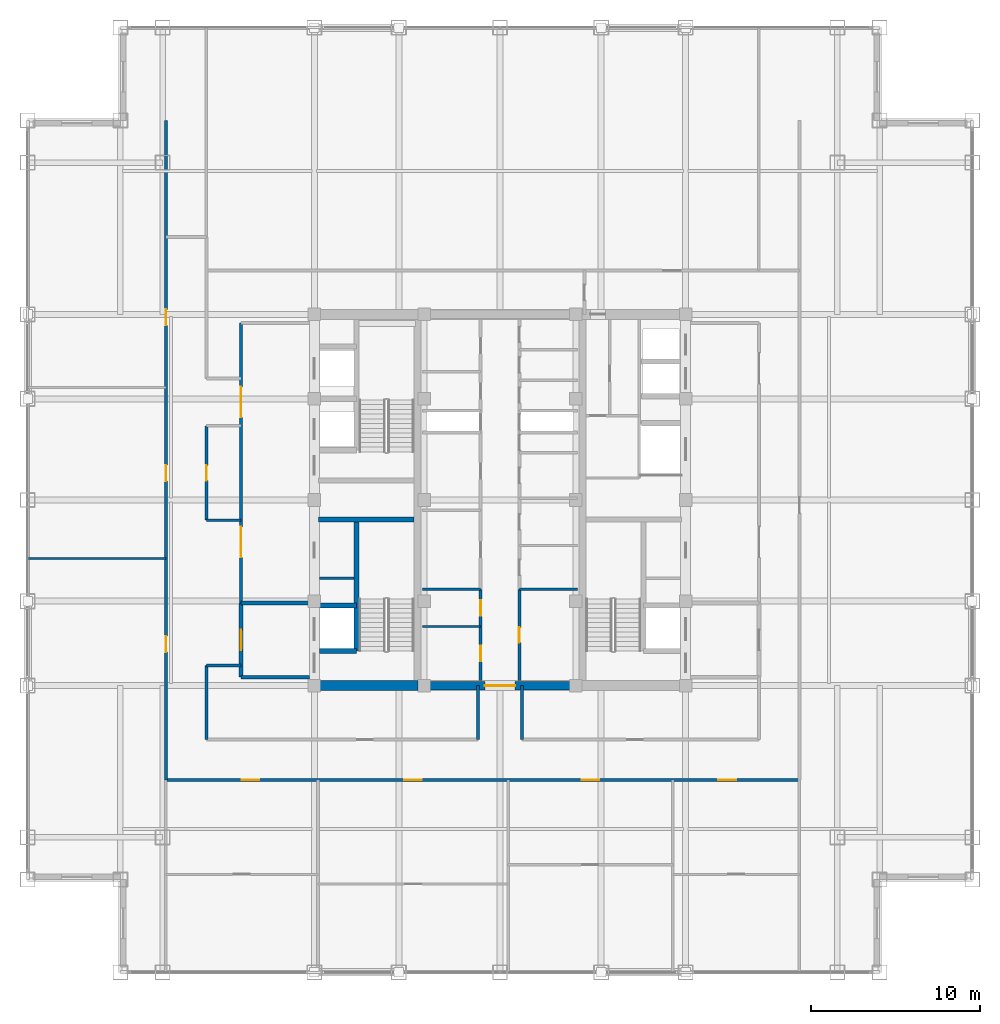
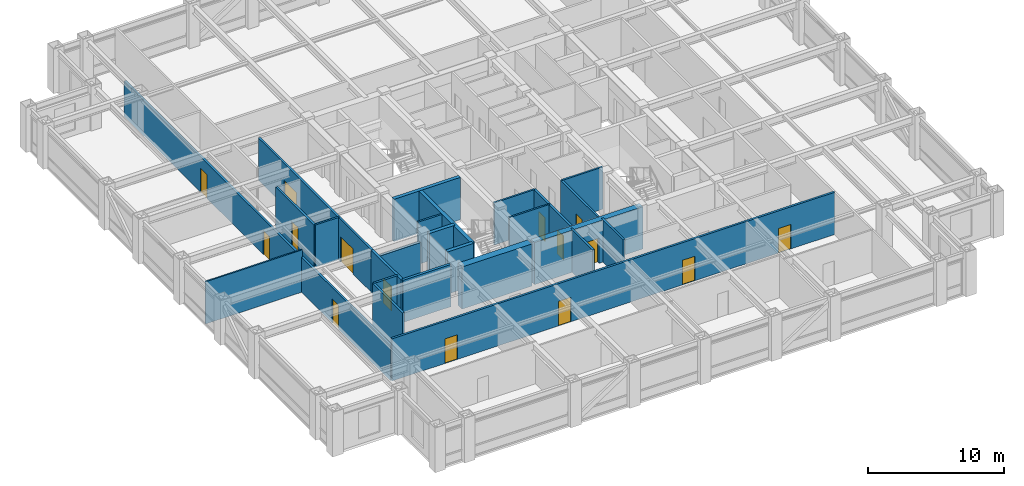
# One storey, part 18 of 22: 25 walls, 15 doors, 15 openings.
"""IFC4 building model written with IfcOpenShell, lengths in metres."""

from ifc_helpers import new_model, si_unit, direction, frame, frame_2d, origin, place, context, subcontext, project, spatial, rectangle, extrude, source, transform, mapped, material, layer, layer_set, type_object, element, fill, save


model = new_model("IFC4")

# Units and contexts
model_context = context("Model", 3, precision=1e-05, world=origin(), true_north=direction((0.0, 1.0)))
body_context = subcontext(model_context, "Body", "Model", "MODEL_VIEW")
ifc_project = project(units=[si_unit("LENGTHUNIT", "METRE"), si_unit("AREAUNIT", "SQUARE_METRE"), si_unit("VOLUMEUNIT", "CUBIC_METRE"), si_unit("PLANEANGLEUNIT", "RADIAN"), si_unit("MASSUNIT", "GRAM", prefix="KILO")], contexts=[model_context])

# Site, building, storey
site_placement = place(None, origin())
site = spatial("IfcSite", under=ifc_project, at=site_placement, CompositionType="ELEMENT")
building_placement = place(site_placement, origin())
building = spatial("IfcBuilding", under=site, at=building_placement, Name="Khorayat Bourse Tower", CompositionType="ELEMENT")
storey_placement = place(building_placement, frame((0.0, 0.0, 297.5)))
storey = spatial("IfcBuildingStorey", under=building, at=storey_placement, Name="L70", CompositionType="ELEMENT", Elevation=297.5)

# Walls
ifc_material_1 = material(Name="Concrete C60/75", Category="concrete")
ifc_layer_1 = layer(ifc_material_1, 0.60009765625)
ifc_layer_set_1 = layer_set([ifc_layer_1], Name="Concrete C60/75")
wall_type_1 = type_object("IfcWallType", Name="WAL-CORE-600", PredefinedType="SHEAR", material=ifc_layer_set_1)
shared_shape_1 = source(origin(), body_context, "Body", "SweptSolid", [
    extrude(rectangle(XDim=5.89990234375, YDim=0.60009765625, at=frame_2d((2.949951171875, 0.0))), origin(), (0.0, 0.0, 1.0), 3.780029296875),
])
wall_1_placement = place(storey_placement, frame((-10.75, -11.0, 0.0), z_axis=(0.0, 0.0, 1.0), x_axis=(1.0, 0.0, 0.0)))
element("IfcWall", 1, at=wall_1_placement, inside=storey, type_object=wall_type_1, Name="L70 Core Shear Wall PIER-WS", PredefinedType="SHEAR", context=body_context, shape_type="MappedRepresentation", body=[
    mapped(shared_shape_1, transform((0.0, 0.0, 0.0), scale=1.0)),
])
ifc_material_2 = material(Name="Concrete C50/60", Category="concrete")
ifc_layer_2 = layer(ifc_material_2, 0.300048828125)
ifc_layer_set_2 = layer_set([ifc_layer_2], Name="Concrete C50/60")
wall_type_2 = type_object("IfcWallType", Name="WAL-SHAFT-300", PredefinedType="SHEAR", material=ifc_layer_set_2)
shared_shape_2 = source(origin(), body_context, "Body", "SweptSolid", [
    extrude(rectangle(XDim=5.64990234375, YDim=0.300048828125, at=frame_2d((2.824951171875, 0.0))), origin(), (0.0, 0.0, 1.0), 3.780029296875),
])
wall_2_placement = place(storey_placement, frame((-10.75, -1.14990234375, 0.0), z_axis=(0.0, 0.0, 1.0), x_axis=(1.0, 0.0, 0.0)))
element("IfcWall", 2, at=wall_2_placement, inside=storey, type_object=wall_type_2, Name="L70 Core Shear Wall ST1-DIV", PredefinedType="SHEAR", context=body_context, shape_type="MappedRepresentation", body=[
    mapped(shared_shape_2, transform((0.0, 0.0, 0.0), scale=1.0)),
])

# Wall, opening, door
ifc_material_3 = material(Name="Concrete C52/65", Category="concrete")
ifc_layer_3 = layer(ifc_material_3, 0.5)
ifc_layer_set_3 = layer_set([ifc_layer_3], Name="Concrete C52/65")
wall_type_3 = type_object("IfcWallType", Name="WAL-CORE-500", PredefinedType="SHEAR", material=ifc_layer_set_3)
shared_shape_3 = source(origin(), body_context, "Body", "SweptSolid", [
    extrude(rectangle(XDim=9.2001953125, YDim=0.5, at=frame_2d((4.60009765625, 0.0))), origin(), (0.0, 0.0, 1.0), 3.780029296875),
])
wall_3_placement = place(storey_placement, frame((-4.60009765625, -11.0, 0.0), z_axis=(0.0, 0.0, 1.0), x_axis=(1.0, 0.0, 0.0)))
wall_3 = element("IfcWall", 3, at=wall_3_placement, inside=storey, type_object=wall_type_3, Name="L70 Core Shear Wall CORE-S", PredefinedType="SHEAR", context=body_context, shape_type="MappedRepresentation", body=[
    mapped(shared_shape_3, transform((0.0, 0.0, 0.0), scale=1.0)),
])
shared_shape_4 = source(origin(), body_context, "Body", "SweptSolid", [
    extrude(rectangle(XDim=1.800048828125, YDim=2.25, at=frame_2d((0.89990234375, 1.125))), frame((0.0, 0.260009765625, 0.0), z_axis=(0.0, -1.0, 0.0), x_axis=(1.0, 0.0, 0.0)), (0.0, 0.0, 1.0), 0.52001953125),
])
opening_1_placement = place(wall_3_placement, frame((3.699951171875, 0.0, 0.0)))
opening_1 = element("IfcOpeningElement", 4, at=opening_1_placement, cuts=wall_3, Name="Opening DI-03", PredefinedType="OPENING", context=body_context, shape_type="MappedRepresentation", body=[
    mapped(shared_shape_4, transform((0.0, 0.0, 0.0), scale=1.0)),
])
ifc_material_4 = material(Name="Fire-rated hardwood vision-panel double leaf", Category="wood")
door_type_1 = type_object("IfcDoorType", Name="DR-INT-CORR-1800", OperationType="NOTDEFINED", PredefinedType="DOOR", material=ifc_material_4)
shared_shape_5 = source(origin(), body_context, "Body", "SweptSolid", [
    extrude(rectangle(XDim=1.800048828125, YDim=2.25, at=frame_2d((0.89990234375, 1.125))), frame((0.0, 0.02490234375, 0.0), z_axis=(0.0, -1.0, 0.0), x_axis=(1.0, 0.0, 0.0)), (0.0, 0.0, 1.0), 0.050048828125),
])
door_1_placement = place(opening_1_placement, origin())
door_1 = element("IfcDoor", 5, at=door_1_placement, inside=storey, type_object=door_type_1, Name="L70 Central Core South Passage Door", OperationType="SINGLE_SWING_LEFT", OverallHeight=2.25, OverallWidth=1.800048828125, PredefinedType="DOOR", context=body_context, shape_type="MappedRepresentation", body=[
    mapped(shared_shape_5, transform((0.0, 0.0, 0.0), scale=1.0)),
])
fill(opening_1, door_1)

# Walls
ifc_material_5 = material(Name="Aerated concrete blockwork", Category="masonry")
ifc_layer_4 = layer(ifc_material_5, 0.219970703125)
ifc_layer_set_4 = layer_set([ifc_layer_4], Name="Aerated concrete blockwork")
wall_type_4 = type_object("IfcWallType", Name="WAL-PART-FF-220", PredefinedType="PARTITIONING", material=ifc_layer_set_4)
shared_shape_6 = source(origin(), body_context, "Body", "SweptSolid", [
    extrude(rectangle(XDim=4.050048828125, YDim=0.219970703125, at=frame_2d((2.02490234375, 0.0))), origin(), (0.0, 0.0, 1.0), 3.0849609375),
])
wall_4_placement = place(storey_placement, frame((-15.35009765625, -6.10009765625, 0.0), z_axis=(0.0, 0.0, 1.0), x_axis=(1.0, 0.0, 0.0)))
element("IfcWall", 6, at=wall_4_placement, inside=storey, type_object=wall_type_4, Name="L70 Partition WAL-L70-FFLW-N", PredefinedType="PARTITIONING", context=body_context, shape_type="MappedRepresentation", body=[
    mapped(shared_shape_6, transform((0.0, 0.0, 0.0), scale=1.0)),
])
shared_shape_7 = source(origin(), body_context, "Body", "SweptSolid", [
    extrude(rectangle(XDim=7.800048828125, YDim=0.300048828125, at=frame_2d((3.89990234375, 0.0))), origin(), (0.0, 0.0, 1.0), 3.780029296875),
])
wall_5_placement = place(storey_placement, frame((-8.5, -8.949951171875, 0.0), z_axis=(0.0, 0.0, 1.0), x_axis=(0.0, 1.0, 0.0)))
element("IfcWall", 7, at=wall_5_placement, inside=storey, type_object=wall_type_2, Name="L70 Partition WAL-L70-WPIER-SP", PredefinedType="SHEAR", context=body_context, shape_type="MappedRepresentation", body=[
    mapped(shared_shape_7, transform((0.0, 0.0, 0.0), scale=1.0)),
])
shared_shape_8 = source(origin(), body_context, "Body", "SweptSolid", [
    extrude(rectangle(XDim=2.199951171875, YDim=0.300048828125, at=frame_2d((1.10009765625, 0.0))), origin(), (0.0, 0.0, 1.0), 3.780029296875),
])
for number, where, z_axis, x_axis, name in (
    (8, (-10.699951171875, -8.949951171875, 0.0), (0.0, 0.0, 1.0), (1.0, 0.0, 0.0), "L70 Partition WAL-L70-WPIER-FF1S"),
    (9, (-10.699951171875, -6.25, 0.0), (0.0, 0.0, 1.0), (1.0, 0.0, 0.0), "L70 Partition WAL-L70-WPIER-FF1N"),
):
    element("IfcWall", number, at=place(storey_placement, frame(where, z_axis=z_axis, x_axis=x_axis)), inside=storey, type_object=wall_type_2, Name=name, PredefinedType="SHEAR", context=body_context, shape_type="MappedRepresentation", body=[
        mapped(shared_shape_8, transform((0.0, 0.0, 0.0), scale=1.0)),
    ])
ifc_material_6 = material(Name="Gypsum plasterboard twin-frame partition")
ifc_layer_5 = layer(ifc_material_6, 0.14990234375)
ifc_layer_set_5 = layer_set([ifc_layer_5], Name="Gypsum plasterboard twin-frame partition")
wall_type_5 = type_object("IfcWallType", Name="WAL-PART-SUITE-150", PredefinedType="PARTITIONING", material=ifc_layer_set_5)
shared_shape_9 = source(origin(), body_context, "Body", "SweptSolid", [
    extrude(rectangle(XDim=2.050048828125, YDim=0.14990234375, at=frame_2d((1.02490234375, 0.0))), origin(), (0.0, 0.0, 1.0), 3.780029296875),
])
wall_6_placement = place(storey_placement, frame((-10.699951171875, -4.64990234375, 0.0), z_axis=(0.0, 0.0, 1.0), x_axis=(1.0, 0.0, 0.0)))
element("IfcWall", 10, at=wall_6_placement, inside=storey, type_object=wall_type_5, Name="L70 Partition WAL-L70-WSRV-S0", PredefinedType="PARTITIONING", context=body_context, shape_type="MappedRepresentation", body=[
    mapped(shared_shape_9, transform((0.0, 0.0, 0.0), scale=1.0)),
])
shared_shape_10 = source(origin(), body_context, "Body", "SweptSolid", [
    extrude(rectangle(XDim=4.050048828125, YDim=0.219970703125, at=frame_2d((2.02490234375, 0.0))), origin(), (0.0, 0.0, 1.0), 3.780029296875),
])
wall_7_placement = place(storey_placement, frame((-15.35009765625, -10.5, 0.0), z_axis=(0.0, 0.0, 1.0), x_axis=(1.0, 0.0, 0.0)))
element("IfcWall", 11, at=wall_7_placement, inside=storey, type_object=wall_type_4, Name="L70 Partition WAL-L70-FFLW-S", PredefinedType="PARTITIONING", context=body_context, shape_type="MappedRepresentation", body=[
    mapped(shared_shape_10, transform((0.0, 0.0, 0.0), scale=1.0)),
])

# Wall, opening, door
shared_shape_11 = source(origin(), body_context, "Body", "SweptSolid", [
    extrude(rectangle(XDim=4.39990234375, YDim=0.219970703125, at=frame_2d((2.199951171875, 0.0))), origin(), (0.0, 0.0, 1.0), 3.780029296875),
])
wall_8_placement = place(storey_placement, frame((-15.35009765625, -10.5, 0.0), z_axis=(0.0, 0.0, 1.0), x_axis=(0.0, 1.0, 0.0)))
wall_8 = element("IfcWall", 12, at=wall_8_placement, inside=storey, type_object=wall_type_4, Name="L70 Partition WAL-L70-FFLW-W", PredefinedType="PARTITIONING", context=body_context, shape_type="MappedRepresentation", body=[
    mapped(shared_shape_11, transform((0.0, 0.0, 0.0), scale=1.0)),
])
shared_shape_12 = source(origin(), body_context, "Body", "SweptSolid", [
    extrude(rectangle(XDim=1.199951171875, YDim=2.199951171875, at=frame_2d((0.60009765625, 1.10009765625))), frame((0.0, 0.119873046875, 0.0), z_axis=(0.0, -1.0, 0.0), x_axis=(1.0, 0.0, 0.0)), (0.0, 0.0, 1.0), 0.239990234375),
])
opening_2_placement = place(wall_8_placement, frame((1.60009765625, 0.0, 0.0)))
opening_2 = element("IfcOpeningElement", 13, at=opening_2_placement, cuts=wall_8, Name="Opening DI-02", PredefinedType="OPENING", context=body_context, shape_type="MappedRepresentation", body=[
    mapped(shared_shape_12, transform((0.0, 0.0, 0.0), scale=1.0)),
])
ifc_material_7 = material(Name="Fire-rated steel double-seal leaf", Category="steel")
door_type_2 = type_object("IfcDoorType", Name="DR-INT-FFLOBBY-1200", OperationType="NOTDEFINED", PredefinedType="DOOR", material=ifc_material_7)
shared_shape_13 = source(origin(), body_context, "Body", "SweptSolid", [
    extrude(rectangle(XDim=1.199951171875, YDim=2.199951171875, at=frame_2d((0.60009765625, 1.10009765625))), frame((0.0, 0.02490234375, 0.0), z_axis=(0.0, -1.0, 0.0), x_axis=(1.0, 0.0, 0.0)), (0.0, 0.0, 1.0), 0.050048828125),
])
door_2_placement = place(opening_2_placement, origin())
door_2 = element("IfcDoor", 14, at=door_2_placement, inside=storey, type_object=door_type_2, Name="L70 West Firefighting Lobby Door", OperationType="SINGLE_SWING_LEFT", OverallHeight=2.199951171875, OverallWidth=1.199951171875, PredefinedType="DOOR", context=body_context, shape_type="MappedRepresentation", body=[
    mapped(shared_shape_13, transform((0.0, 0.0, 0.0), scale=1.0)),
])
fill(opening_2, door_2)

# Wall, openings, doors
ifc_material_8 = material(Name="Gypsum plasterboard acoustic stud wall")
ifc_layer_6 = layer(ifc_material_8, 0.179931640625)
ifc_layer_set_6 = layer_set([ifc_layer_6], Name="Gypsum plasterboard acoustic stud wall")
wall_type_6 = type_object("IfcWallType", Name="WAL-PART-CORR-180", PredefinedType="PARTITIONING", material=ifc_layer_set_6)
shared_shape_14 = source(origin(), body_context, "Body", "SweptSolid", [
    extrude(rectangle(XDim=16.60009765625, YDim=0.179931640625, at=frame_2d((8.300048828125, 0.0))), origin(), (0.0, 0.0, 1.0), 3.780029296875),
])
wall_9_placement = place(storey_placement, frame((-15.35009765625, -6.10009765625, 0.0), z_axis=(0.0, 0.0, 1.0), x_axis=(0.0, 1.0, 0.0)))
wall_9 = element("IfcWall", 15, at=wall_9_placement, inside=storey, type_object=wall_type_6, Name="L70 Partition WAL-L70-WLOB-W", PredefinedType="PARTITIONING", context=body_context, shape_type="MappedRepresentation", body=[
    mapped(shared_shape_14, transform((0.0, 0.0, 0.0), scale=1.0)),
])
shared_shape_15 = source(origin(), body_context, "Body", "SweptSolid", [
    extrude(rectangle(XDim=1.800048828125, YDim=2.25, at=frame_2d((0.89990234375, 1.125))), frame((0.0, 0.099853515625, 0.0), z_axis=(0.0, -1.0, 0.0), x_axis=(1.0, 0.0, 0.0)), (0.0, 0.0, 1.0), 0.199951171875),
])
opening_3_placement = place(wall_9_placement, frame((2.699951171875, 0.0, 0.0)))
opening_3 = element("IfcOpeningElement", 16, at=opening_3_placement, cuts=wall_9, Name="Opening DI-03", PredefinedType="OPENING", context=body_context, shape_type="MappedRepresentation", body=[
    mapped(shared_shape_15, transform((0.0, 0.0, 0.0), scale=1.0)),
])
opening_4_placement = place(wall_9_placement, frame((11.0, 0.0, 0.0)))
opening_4 = element("IfcOpeningElement", 17, at=opening_4_placement, cuts=wall_9, Name="Opening DI-03", PredefinedType="OPENING", context=body_context, shape_type="MappedRepresentation", body=[
    mapped(shared_shape_15, transform((0.0, 0.0, 0.0), scale=1.0)),
])
door_3_placement = place(opening_3_placement, origin())
door_3 = element("IfcDoor", 18, at=door_3_placement, inside=storey, type_object=door_type_1, Name="L70 West Core Lobby South Door", OperationType="SINGLE_SWING_LEFT", OverallHeight=2.25, OverallWidth=1.800048828125, PredefinedType="DOOR", context=body_context, shape_type="MappedRepresentation", body=[
    mapped(shared_shape_5, transform((0.0, 0.0, 0.0), scale=1.0)),
])
fill(opening_3, door_3)
door_4_placement = place(opening_4_placement, origin())
door_4 = element("IfcDoor", 19, at=door_4_placement, inside=storey, type_object=door_type_1, Name="L70 West Core Lobby North Door", OperationType="SINGLE_SWING_RIGHT", OverallHeight=2.25, OverallWidth=1.800048828125, PredefinedType="DOOR", context=body_context, shape_type="MappedRepresentation", body=[
    mapped(shared_shape_5, transform((0.0, 0.0, 0.0), scale=1.0)),
])
fill(opening_4, door_4)

# Walls
shared_shape_16 = source(origin(), body_context, "Body", "SweptSolid", [
    extrude(rectangle(XDim=3.4501953125, YDim=0.14990234375, at=frame_2d((1.72509765625, 0.0))), origin(), (0.0, 0.0, 1.0), 3.780029296875),
])
for number, where, z_axis, x_axis, name in (
    (20, (-4.60009765625, -5.300048828125, 0.0), (0.0, 0.0, 1.0), (1.0, 0.0, 0.0), "L70 Partition WAL-L70-FB1-NW"),
    (21, (1.14990234375, -5.300048828125, 0.0), (0.0, 0.0, 1.0), (1.0, 0.0, 0.0), "L70 Partition WAL-L70-FB1-NE"),
):
    element("IfcWall", number, at=place(storey_placement, frame(where, z_axis=z_axis, x_axis=x_axis)), inside=storey, type_object=wall_type_5, Name=name, PredefinedType="PARTITIONING", context=body_context, shape_type="MappedRepresentation", body=[
        mapped(shared_shape_16, transform((0.0, 0.0, 0.0), scale=1.0)),
    ])

# Wall, openings, doors
shared_shape_17 = source(origin(), body_context, "Body", "SweptSolid", [
    extrude(rectangle(XDim=5.39990234375, YDim=0.179931640625, at=frame_2d((2.699951171875, 0.0))), origin(), (0.0, 0.0, 1.0), 3.780029296875),
])
wall_10_placement = place(storey_placement, frame((-1.14990234375, -10.699951171875, 0.0), z_axis=(0.0, 0.0, 1.0), x_axis=(0.0, 1.0, 0.0)))
wall_10 = element("IfcWall", 22, at=wall_10_placement, inside=storey, type_object=wall_type_6, Name="L70 Partition WAL-L70-FB1W-L", PredefinedType="PARTITIONING", context=body_context, shape_type="MappedRepresentation", body=[
    mapped(shared_shape_17, transform((0.0, 0.0, 0.0), scale=1.0)),
])
shared_shape_18 = source(origin(), body_context, "Body", "SweptSolid", [
    extrude(rectangle(XDim=0.89990234375, YDim=2.14990234375, at=frame_2d((0.449951171875, 1.074951171875))), frame((0.0, 0.099853515625, 0.0), z_axis=(0.0, -1.0, 0.0), x_axis=(1.0, 0.0, 0.0)), (0.0, 0.0, 1.0), 0.199951171875),
])
opening_5_placement = place(wall_10_placement, frame((1.14990234375, 0.0, 0.0)))
opening_5 = element("IfcOpeningElement", 23, at=opening_5_placement, cuts=wall_10, Name="Opening DI-06", PredefinedType="OPENING", context=body_context, shape_type="MappedRepresentation", body=[
    mapped(shared_shape_18, transform((0.0, 0.0, 0.0), scale=1.0)),
])
opening_6_placement = place(wall_10_placement, frame((3.85009765625, 0.0, 0.0)))
opening_6 = element("IfcOpeningElement", 24, at=opening_6_placement, cuts=wall_10, Name="Opening DI-06", PredefinedType="OPENING", context=body_context, shape_type="MappedRepresentation", body=[
    mapped(shared_shape_18, transform((0.0, 0.0, 0.0), scale=1.0)),
])
ifc_material_9 = material(Name="Moisture-resistant laminate washroom door")
door_type_3 = type_object("IfcDoorType", Name="DR-INT-WC-900", OperationType="NOTDEFINED", PredefinedType="DOOR", material=ifc_material_9)
shared_shape_19 = source(origin(), body_context, "Body", "SweptSolid", [
    extrude(rectangle(XDim=0.89990234375, YDim=2.14990234375, at=frame_2d((0.449951171875, 1.074951171875))), frame((0.0, 0.02490234375, 0.0), z_axis=(0.0, -1.0, 0.0), x_axis=(1.0, 0.0, 0.0)), (0.0, 0.0, 1.0), 0.050048828125),
])
door_5_placement = place(opening_5_placement, origin())
door_5 = element("IfcDoor", 25, at=door_5_placement, inside=storey, type_object=door_type_3, Name="L70 Records Vault Store Door", OperationType="SINGLE_SWING_RIGHT", OverallHeight=2.14990234375, OverallWidth=0.89990234375, PredefinedType="DOOR", context=body_context, shape_type="MappedRepresentation", body=[
    mapped(shared_shape_19, transform((0.0, 0.0, 0.0), scale=1.0)),
])
fill(opening_5, door_5)
door_6_placement = place(opening_6_placement, origin())
door_6 = element("IfcDoor", 26, at=door_6_placement, inside=storey, type_object=door_type_3, Name="L70 Sprinkler Valve Plant Room Door", OperationType="SINGLE_SWING_LEFT", OverallHeight=2.14990234375, OverallWidth=0.89990234375, PredefinedType="DOOR", context=body_context, shape_type="MappedRepresentation", body=[
    mapped(shared_shape_19, transform((0.0, 0.0, 0.0), scale=1.0)),
])
fill(opening_6, door_6)

# Wall, opening, door
wall_11_placement = place(storey_placement, frame((1.14990234375, -10.699951171875, 0.0), z_axis=(0.0, 0.0, 1.0), x_axis=(0.0, 1.0, 0.0)))
wall_11 = element("IfcWall", 27, at=wall_11_placement, inside=storey, type_object=wall_type_6, Name="L70 Partition WAL-L70-FB1E-L", PredefinedType="PARTITIONING", context=body_context, shape_type="MappedRepresentation", body=[
    mapped(shared_shape_17, transform((0.0, 0.0, 0.0), scale=1.0)),
])
opening_7_placement = place(wall_11_placement, frame((2.25, 0.0, 0.0)))
opening_7 = element("IfcOpeningElement", 28, at=opening_7_placement, cuts=wall_11, Name="Opening DI-06", PredefinedType="OPENING", context=body_context, shape_type="MappedRepresentation", body=[
    mapped(shared_shape_18, transform((0.0, 0.0, 0.0), scale=1.0)),
])
door_7_placement = place(opening_7_placement, origin())
door_7 = element("IfcDoor", 29, at=door_7_placement, inside=storey, type_object=door_type_3, Name="L70 Telemetry Server Plant Room Door", OperationType="SINGLE_SWING_RIGHT", OverallHeight=2.14990234375, OverallWidth=0.89990234375, PredefinedType="DOOR", context=body_context, shape_type="MappedRepresentation", body=[
    mapped(shared_shape_19, transform((0.0, 0.0, 0.0), scale=1.0)),
])
fill(opening_7, door_7)

# Wall
ifc_material_10 = material(Name="Moisture-resistant masonry partition", Category="masonry")
ifc_layer_7 = layer(ifc_material_10, 0.139892578125)
ifc_layer_set_7 = layer_set([ifc_layer_7], Name="Moisture-resistant masonry partition")
wall_type_7 = type_object("IfcWallType", Name="WAL-PART-WET-140", PredefinedType="PARTITIONING", material=ifc_layer_set_7)
shared_shape_20 = source(origin(), body_context, "Body", "SweptSolid", [
    extrude(rectangle(XDim=3.4501953125, YDim=0.139892578125, at=frame_2d((1.72509765625, 0.0))), origin(), (0.0, 0.0, 1.0), 3.780029296875),
])
wall_12_placement = place(storey_placement, frame((-4.60009765625, -7.5, 0.0), z_axis=(0.0, 0.0, 1.0), x_axis=(1.0, 0.0, 0.0)))
element("IfcWall", 30, at=wall_12_placement, inside=storey, type_object=wall_type_7, Name="L70 Partition WAL-L70-FB1W-D1", PredefinedType="PARTITIONING", context=body_context, shape_type="MappedRepresentation", body=[
    mapped(shared_shape_20, transform((0.0, 0.0, 0.0), scale=1.0)),
])

# Wall, opening, door
shared_shape_21 = source(origin(), body_context, "Body", "SweptSolid", [
    extrude(rectangle(XDim=5.599853515625, YDim=0.179931640625, at=frame_2d((2.7998046875, 0.0))), origin(), (0.0, 0.0, 1.0), 3.780029296875),
])
wall_13_placement = place(storey_placement, frame((-17.39990234375, -1.199951171875, 0.0), z_axis=(0.0, 0.0, 1.0), x_axis=(0.0, 1.0, 0.0)))
wall_13 = element("IfcWall", 31, at=wall_13_placement, inside=storey, type_object=wall_type_6, Name="L70 Partition WAL-L70-PKWM-W", PredefinedType="PARTITIONING", context=body_context, shape_type="MappedRepresentation", body=[
    mapped(shared_shape_21, transform((0.0, 0.0, 0.0), scale=1.0)),
])
opening_8_placement = place(wall_13_placement, frame((2.35009765625, 0.0, 0.0)))
opening_8 = element("IfcOpeningElement", 32, at=opening_8_placement, cuts=wall_13, Name="Opening DI-06", PredefinedType="OPENING", context=body_context, shape_type="MappedRepresentation", body=[
    mapped(shared_shape_18, transform((0.0, 0.0, 0.0), scale=1.0)),
])
door_8_placement = place(opening_8_placement, origin())
door_8 = element("IfcDoor", 33, at=door_8_placement, inside=storey, type_object=door_type_3, Name="L70 West Inboard Focus Door", OperationType="SINGLE_SWING_LEFT", OverallHeight=2.14990234375, OverallWidth=0.89990234375, PredefinedType="DOOR", context=body_context, shape_type="MappedRepresentation", body=[
    mapped(shared_shape_19, transform((0.0, 0.0, 0.0), scale=1.0)),
])
fill(opening_8, door_8)

# Walls
shared_shape_22 = source(origin(), body_context, "Body", "SweptSolid", [
    extrude(rectangle(XDim=2.0498046875, YDim=0.14990234375, at=frame_2d((1.02490234375, 0.0))), origin(), (0.0, 0.0, 1.0), 3.780029296875),
])
wall_14_placement = place(storey_placement, frame((-17.39990234375, -1.199951171875, 0.0), z_axis=(0.0, 0.0, 1.0), x_axis=(1.0, 0.0, 0.0)))
element("IfcWall", 34, at=wall_14_placement, inside=storey, type_object=wall_type_5, Name="L70 Partition WAL-L70-PKWM-S", PredefinedType="PARTITIONING", context=body_context, shape_type="MappedRepresentation", body=[
    mapped(shared_shape_22, transform((0.0, 0.0, 0.0), scale=1.0)),
])
shared_shape_23 = source(origin(), body_context, "Body", "SweptSolid", [
    extrude(rectangle(XDim=2.0498046875, YDim=0.179931640625, at=frame_2d((1.02490234375, 0.0))), origin(), (0.0, 0.0, 1.0), 3.780029296875),
])
wall_15_placement = place(storey_placement, frame((-17.39990234375, -9.800048828125, 0.0), z_axis=(0.0, 0.0, 1.0), x_axis=(1.0, 0.0, 0.0)))
element("IfcWall", 35, at=wall_15_placement, inside=storey, type_object=wall_type_6, Name="L70 Partition WAL-L70-THRW-S", PredefinedType="PARTITIONING", context=body_context, shape_type="MappedRepresentation", body=[
    mapped(shared_shape_23, transform((0.0, 0.0, 0.0), scale=1.0)),
])

# Wall, openings, doors
shared_shape_24 = source(origin(), body_context, "Body", "SweptSolid", [
    extrude(rectangle(XDim=37.550048828125, YDim=0.179931640625, at=frame_2d((18.77490234375, 0.0))), origin(), (0.0, 0.0, 1.0), 3.780029296875),
])
wall_16_placement = place(storey_placement, frame((-19.800048828125, -16.60009765625, 0.0), z_axis=(0.0, 0.0, 1.0), x_axis=(1.0, 0.0, 0.0)))
wall_16 = element("IfcWall", 36, at=wall_16_placement, inside=storey, type_object=wall_type_6, Name="L70 Partition WAL-L70-SCORR", PredefinedType="PARTITIONING", context=body_context, shape_type="MappedRepresentation", body=[
    mapped(shared_shape_24, transform((0.0, 0.0, 0.0), scale=1.0)),
])
shared_shape_25 = source(origin(), body_context, "Body", "SweptSolid", [
    extrude(rectangle(XDim=1.050048828125, YDim=2.199951171875, at=frame_2d((0.52490234375, 1.10009765625))), frame((0.0, 0.099853515625, 0.0), z_axis=(0.0, -1.0, 0.0), x_axis=(1.0, 0.0, 0.0)), (0.0, 0.0, 1.0), 0.199951171875),
])
opening_9_placement = place(wall_16_placement, frame((4.48095703125, 0.0, 0.0)))
opening_9 = element("IfcOpeningElement", 37, at=opening_9_placement, cuts=wall_16, Name="Opening DI-04", PredefinedType="OPENING", context=body_context, shape_type="MappedRepresentation", body=[
    mapped(shared_shape_25, transform((0.0, 0.0, 0.0), scale=1.0)),
])
opening_10_placement = place(wall_16_placement, frame((14.119384765625, 0.0, 0.0)))
opening_10 = element("IfcOpeningElement", 38, at=opening_10_placement, cuts=wall_16, Name="Opening DI-04", PredefinedType="OPENING", context=body_context, shape_type="MappedRepresentation", body=[
    mapped(shared_shape_25, transform((0.0, 0.0, 0.0), scale=1.0)),
])
opening_11_placement = place(wall_16_placement, frame((24.633544921875, 0.0, 0.0)))
opening_11 = element("IfcOpeningElement", 39, at=opening_11_placement, cuts=wall_16, Name="Opening DI-04", PredefinedType="OPENING", context=body_context, shape_type="MappedRepresentation", body=[
    mapped(shared_shape_25, transform((0.0, 0.0, 0.0), scale=1.0)),
])
opening_12_placement = place(wall_16_placement, frame((32.7451171875, 0.0, 0.0)))
opening_12 = element("IfcOpeningElement", 40, at=opening_12_placement, cuts=wall_16, Name="Opening DI-04", PredefinedType="OPENING", context=body_context, shape_type="MappedRepresentation", body=[
    mapped(shared_shape_25, transform((0.0, 0.0, 0.0), scale=1.0)),
])
ifc_material_11 = material(Name="Fire-rated oak veneer suite entrance door")
door_type_4 = type_object("IfcDoorType", Name="DR-INT-SUITE-1050", OperationType="NOTDEFINED", PredefinedType="DOOR", material=ifc_material_11)
shared_shape_26 = source(origin(), body_context, "Body", "SweptSolid", [
    extrude(rectangle(XDim=1.050048828125, YDim=2.199951171875, at=frame_2d((0.52490234375, 1.10009765625))), frame((0.0, 0.02490234375, 0.0), z_axis=(0.0, -1.0, 0.0), x_axis=(1.0, 0.0, 0.0)), (0.0, 0.0, 1.0), 0.050048828125),
])
door_9_placement = place(opening_9_placement, origin())
door_9 = element("IfcDoor", 41, at=door_9_placement, inside=storey, type_object=door_type_4, Name="L70 Executive Boardroom S1 Door", OperationType="SINGLE_SWING_RIGHT", OverallHeight=2.199951171875, OverallWidth=1.050048828125, PredefinedType="DOOR", context=body_context, shape_type="MappedRepresentation", body=[
    mapped(shared_shape_26, transform((0.0, 0.0, 0.0), scale=1.0)),
])
fill(opening_9, door_9)
door_10_placement = place(opening_10_placement, origin())
door_10 = element("IfcDoor", 42, at=door_10_placement, inside=storey, type_object=door_type_4, Name="L70 Financial Training Classroom S2 Door", OperationType="SINGLE_SWING_LEFT", OverallHeight=2.199951171875, OverallWidth=1.050048828125, PredefinedType="DOOR", context=body_context, shape_type="MappedRepresentation", body=[
    mapped(shared_shape_26, transform((0.0, 0.0, 0.0), scale=1.0)),
])
fill(opening_10, door_10)
door_11_placement = place(opening_11_placement, origin())
door_11 = element("IfcDoor", 43, at=door_11_placement, inside=storey, type_object=door_type_4, Name="L70 Members Exchange Lounge S3 Door", OperationType="SINGLE_SWING_RIGHT", OverallHeight=2.199951171875, OverallWidth=1.050048828125, PredefinedType="DOOR", context=body_context, shape_type="MappedRepresentation", body=[
    mapped(shared_shape_26, transform((0.0, 0.0, 0.0), scale=1.0)),
])
fill(opening_11, door_11)
door_12_placement = place(opening_12_placement, origin())
door_12 = element("IfcDoor", 44, at=door_12_placement, inside=storey, type_object=door_type_4, Name="L70 Staff Tea Pantry S4 Door", OperationType="SINGLE_SWING_LEFT", OverallHeight=2.199951171875, OverallWidth=1.050048828125, PredefinedType="DOOR", context=body_context, shape_type="MappedRepresentation", body=[
    mapped(shared_shape_26, transform((0.0, 0.0, 0.0), scale=1.0)),
])
fill(opening_12, door_12)

# Walls
ifc_material_12 = material(Name="Gypsum plasterboard partition")
ifc_layer_8 = layer(ifc_material_12, 0.125)
ifc_layer_set_8 = layer_set([ifc_layer_8], Name="Gypsum plasterboard partition")
wall_type_8 = type_object("IfcWallType", Name="WAL-PART-ROOM-125", PredefinedType="PARTITIONING", material=ifc_layer_set_8)
shared_shape_27 = source(origin(), body_context, "Body", "SweptSolid", [
    extrude(rectangle(XDim=8.199951171875, YDim=0.125, at=frame_2d((4.10009765625, 0.0))), origin(), (0.0, 0.0, 1.0), 3.780029296875),
])
wall_17_placement = place(storey_placement, frame((-28.0, -3.471923828125, 0.0), z_axis=(0.0, 0.0, 1.0), x_axis=(1.0, 0.0, 0.0)))
element("IfcWall", 45, at=wall_17_placement, inside=storey, type_object=wall_type_8, Name="L70 Partition WAL-L70-WDV-1", PredefinedType="PARTITIONING", context=body_context, shape_type="MappedRepresentation", body=[
    mapped(shared_shape_27, transform((0.0, 0.0, 0.0), scale=1.0)),
])
shared_shape_28 = source(origin(), body_context, "Body", "SweptSolid", [
    extrude(rectangle(XDim=4.39990234375, YDim=0.179931640625, at=frame_2d((2.199951171875, 0.0))), origin(), (0.0, 0.0, 1.0), 3.780029296875),
])
wall_18_placement = place(storey_placement, frame((-17.39990234375, -14.199951171875, 0.0), z_axis=(0.0, 0.0, 1.0), x_axis=(0.0, 1.0, 0.0)))
element("IfcWall", 46, at=wall_18_placement, inside=storey, type_object=wall_type_6, Name="L70 Partition WAL-L70-PKSW-W", PredefinedType="PARTITIONING", context=body_context, shape_type="MappedRepresentation", body=[
    mapped(shared_shape_28, transform((0.0, 0.0, 0.0), scale=1.0)),
])
shared_shape_29 = source(origin(), body_context, "Body", "SweptSolid", [
    extrude(rectangle(XDim=3.199951171875, YDim=0.179931640625, at=frame_2d((1.60009765625, 0.0))), origin(), (0.0, 0.0, 1.0), 3.780029296875),
])
for number, where, z_axis, x_axis, name in (
    (47, (-1.300048828125, -14.199951171875, 0.0), (0.0, 0.0, 1.0), (0.0, 1.0, 0.0), "L70 Partition WAL-L70-PKSW-E"),
    (48, (1.300048828125, -14.199951171875, 0.0), (0.0, 0.0, 1.0), (0.0, 1.0, 0.0), "L70 Partition WAL-L70-PKSE-W"),
):
    element("IfcWall", number, at=place(storey_placement, frame(where, z_axis=z_axis, x_axis=x_axis)), inside=storey, type_object=wall_type_6, Name=name, PredefinedType="PARTITIONING", context=body_context, shape_type="MappedRepresentation", body=[
        mapped(shared_shape_29, transform((0.0, 0.0, 0.0), scale=1.0)),
    ])

# Wall, openings, doors
shared_shape_30 = source(origin(), body_context, "Body", "SweptSolid", [
    extrude(rectangle(XDim=39.10009765625, YDim=0.179931640625, at=frame_2d((19.550048828125, 0.0))), origin(), (0.0, 0.0, 1.0), 3.1640625),
])
wall_19_placement = place(storey_placement, frame((-19.800048828125, -16.60009765625, 0.0), z_axis=(0.0, 0.0, 1.0), x_axis=(0.0, 1.0, 0.0)))
wall_19 = element("IfcWall", 49, at=wall_19_placement, inside=storey, type_object=wall_type_6, Name="L70 Partition WAL-L70-WCORR", PredefinedType="PARTITIONING", context=body_context, shape_type="MappedRepresentation", body=[
    mapped(shared_shape_30, transform((0.0, 0.0, 0.0), scale=1.0)),
])
shared_shape_31 = source(origin(), body_context, "Body", "SweptSolid", [
    extrude(rectangle(XDim=0.949951171875, YDim=2.14990234375, at=frame_2d((0.47509765625, 1.074951171875))), frame((0.0, 0.099853515625, 0.0), z_axis=(0.0, -1.0, 0.0), x_axis=(1.0, 0.0, 0.0)), (0.0, 0.0, 1.0), 0.199951171875),
])
opening_13_placement = place(wall_19_placement, frame((7.589111328125, 0.0, 0.0)))
opening_13 = element("IfcOpeningElement", 50, at=opening_13_placement, cuts=wall_19, Name="Opening DI-05", PredefinedType="OPENING", context=body_context, shape_type="MappedRepresentation", body=[
    mapped(shared_shape_31, transform((0.0, 0.0, 0.0), scale=1.0)),
])
opening_14_placement = place(wall_19_placement, frame((17.718994140625, 0.0, 0.0)))
opening_14 = element("IfcOpeningElement", 51, at=opening_14_placement, cuts=wall_19, Name="Opening DI-05", PredefinedType="OPENING", context=body_context, shape_type="MappedRepresentation", body=[
    mapped(shared_shape_31, transform((0.0, 0.0, 0.0), scale=1.0)),
])
opening_15_placement = place(wall_19_placement, frame((26.955078125, 0.0, 0.0)))
opening_15 = element("IfcOpeningElement", 52, at=opening_15_placement, cuts=wall_19, Name="Opening DI-05", PredefinedType="OPENING", context=body_context, shape_type="MappedRepresentation", body=[
    mapped(shared_shape_31, transform((0.0, 0.0, 0.0), scale=1.0)),
])
ifc_material_13 = material(Name="Acoustic oak veneer office door")
door_type_5 = type_object("IfcDoorType", Name="DR-INT-OFFICE-950", OperationType="NOTDEFINED", PredefinedType="DOOR", material=ifc_material_13)
shared_shape_32 = source(origin(), body_context, "Body", "SweptSolid", [
    extrude(rectangle(XDim=0.949951171875, YDim=2.14990234375, at=frame_2d((0.47509765625, 1.074951171875))), frame((0.0, 0.02490234375, 0.0), z_axis=(0.0, -1.0, 0.0), x_axis=(1.0, 0.0, 0.0)), (0.0, 0.0, 1.0), 0.050048828125),
])
door_13_placement = place(opening_13_placement, origin())
door_13 = element("IfcDoor", 53, at=door_13_placement, inside=storey, type_object=door_type_5, Name="L70 Quantitative Research Study W1 Door", OperationType="SINGLE_SWING_RIGHT", OverallHeight=2.14990234375, OverallWidth=0.949951171875, PredefinedType="DOOR", context=body_context, shape_type="MappedRepresentation", body=[
    mapped(shared_shape_32, transform((0.0, 0.0, 0.0), scale=1.0)),
])
fill(opening_13, door_13)
door_14_placement = place(opening_14_placement, origin())
door_14 = element("IfcDoor", 54, at=door_14_placement, inside=storey, type_object=door_type_5, Name="L70 Executive Boardroom W2 Door", OperationType="SINGLE_SWING_LEFT", OverallHeight=2.14990234375, OverallWidth=0.949951171875, PredefinedType="DOOR", context=body_context, shape_type="MappedRepresentation", body=[
    mapped(shared_shape_32, transform((0.0, 0.0, 0.0), scale=1.0)),
])
fill(opening_14, door_14)
door_15_placement = place(opening_15_placement, origin())
door_15 = element("IfcDoor", 55, at=door_15_placement, inside=storey, type_object=door_type_5, Name="L70 Market Committee Conference Room W3 Door", OperationType="SINGLE_SWING_RIGHT", OverallHeight=2.14990234375, OverallWidth=0.949951171875, PredefinedType="DOOR", context=body_context, shape_type="MappedRepresentation", body=[
    mapped(shared_shape_32, transform((0.0, 0.0, 0.0), scale=1.0)),
])
fill(opening_15, door_15)

save(model, "model.ifc")
